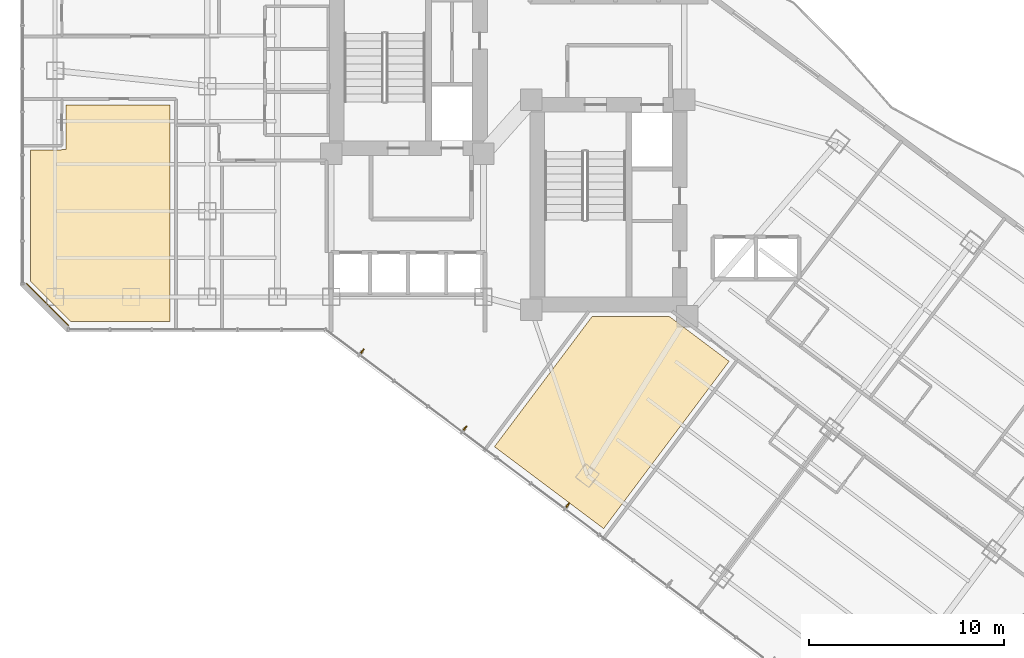
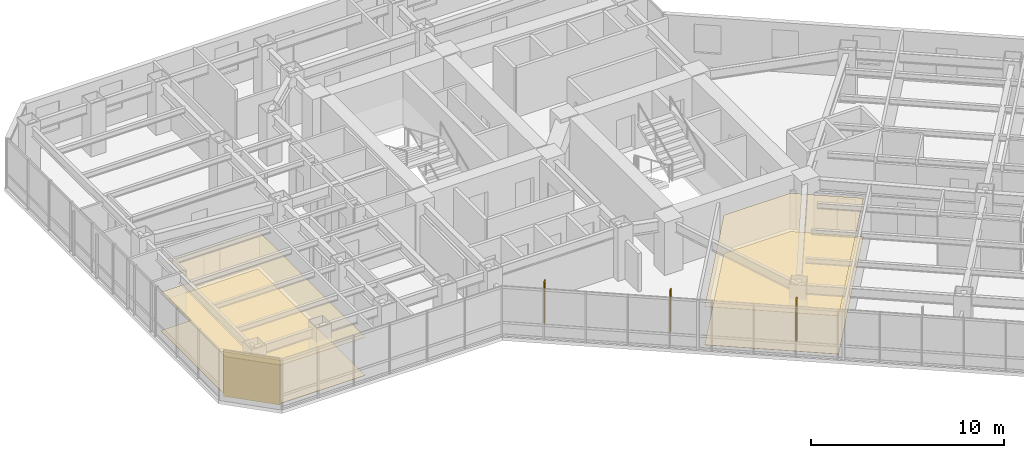
# One storey, part 32 of 36: 5 coverings, 3 shading devices.
"""IFC4 building model written with IfcOpenShell, lengths in metres."""

from ifc_helpers import new_model, si_unit, direction, frame, origin, origin_2d, place, context, subcontext, project, spatial, polyline, rectangle, outline, extrude, material, layer, layer_set, type_object, element, save


model = new_model("IFC4")

# Units and contexts
model_context = context("Model", 3, precision=1e-05, world=origin(), true_north=direction((0.0, 1.0)))
body_context = subcontext(model_context, "Body", "Model", "MODEL_VIEW")
ifc_project = project(units=[si_unit("LENGTHUNIT", "METRE"), si_unit("AREAUNIT", "SQUARE_METRE"), si_unit("VOLUMEUNIT", "CUBIC_METRE"), si_unit("PLANEANGLEUNIT", "RADIAN"), si_unit("MASSUNIT", "GRAM", prefix="KILO")], contexts=[model_context])

# Site, building, storey
site_placement = place(None, origin())
site = spatial("IfcSite", under=ifc_project, at=site_placement, CompositionType="ELEMENT")
building_placement = place(site_placement, origin())
building = spatial("IfcBuilding", under=site, at=building_placement, Name="Hatsunagi Terrace Concourse", CompositionType="ELEMENT")
storey_placement = place(building_placement, frame((0.0, 0.0, 84.64990234375)))
storey = spatial("IfcBuildingStorey", under=building, at=storey_placement, Name="L22", CompositionType="ELEMENT", Elevation=84.64990234375)

# Coverings
ifc_material_1 = material(Name="Acoustic mineral board", Category="gypsum")
ifc_layer_1 = layer(ifc_material_1, 0.02001953125)
ifc_layer_set_1 = layer_set([ifc_layer_1], Name="AcousticMineralCeiling_20")
covering_type_1 = type_object("IfcCoveringType", Name="AcousticMineralCeiling_20", PredefinedType="CEILING", material=ifc_layer_set_1)
covering_1_placement = place(storey_placement, frame((0.0, 0.0, 2.420166015625)))
element("IfcCovering", 1, at=covering_1_placement, inside=storey, type_object=covering_type_1, Name="Suspended Ceiling L22-2", PredefinedType="CEILING", context=body_context, shape_type="SweptSolid", body=[
    extrude(outline(polyline([(39.51806640625, 13.323974609375), (45.949951171875, 21.89990234375), (42.89697265625, 24.18994140625), (38.9169921875, 24.18994140625), (33.91796875, 17.52392578125), (39.51806640625, 13.323974609375)])), origin(), (0.0, 0.0, 1.0), 0.02001953125),
])
ifc_material_2 = material(Name="Granite stone paving", Category="masonry")
ifc_layer_2 = layer(ifc_material_2, 0.02490234375)
ifc_layer_set_2 = layer_set([ifc_layer_2], Name="GraniteStoneFlooring_25")
covering_type_2 = type_object("IfcCoveringType", Name="GraniteStoneFlooring_25", PredefinedType="FLOORING", material=ifc_layer_set_2)
covering_2_placement = place(storey_placement, origin())
element("IfcCovering", 2, at=covering_2_placement, inside=storey, type_object=covering_type_2, Name="Finished Flooring L22-1", PredefinedType="FLOORING", context=body_context, shape_type="SweptSolid", body=[
    extrude(outline(polyline([(12.219970703125, 23.929931640625), (17.2900390625, 23.929931640625), (17.2900390625, 35.050048828125), (11.9580078125, 35.050048828125), (11.9560546875, 32.7451171875), (10.1298828125, 32.741943359375), (10.1298828125, 26.02001953125), (12.219970703125, 23.929931640625)])), origin(), (0.0, 0.0, 1.0), 0.025146484375),
])
ifc_material_3 = material(Name="Hardwood timber", Category="wood")
ifc_layer_3 = layer(ifc_material_3, 0.014892578125)
ifc_layer_set_3 = layer_set([ifc_layer_3], Name="HardwoodTimberFlooring_15")
covering_type_3 = type_object("IfcCoveringType", Name="HardwoodTimberFlooring_15", PredefinedType="FLOORING", material=ifc_layer_set_3)
covering_3_placement = place(storey_placement, origin())
element("IfcCovering", 3, at=covering_3_placement, inside=storey, type_object=covering_type_3, Name="Finished Flooring L22-2", PredefinedType="FLOORING", context=body_context, shape_type="SweptSolid", body=[
    extrude(outline(polyline([(39.51806640625, 13.323974609375), (45.949951171875, 21.89990234375), (42.89697265625, 24.18994140625), (38.9169921875, 24.18994140625), (33.91796875, 17.52392578125), (39.51806640625, 13.323974609375)])), origin(), (0.0, 0.0, 1.0), 0.01513671875),
])

# Shading devices
ifc_material_4 = material(Name="Extruded Unglazed Terracotta Baguette", Category="masonry")
shading_device_type = type_object("IfcShadingDeviceType", Name="TerracottaFinScreen_260x70", PredefinedType="USERDEFINED", material=ifc_material_4)
for number, where, z_axis, x_axis, name in (
    (4, (37.677978515625, 14.529052734375, 0.85009765625), (0.0, 0.0, 1.0), (-0.800003116929, 0.599995844072, 0.0), "Terracotta Baguette Fin Screen SCR-01"),
    (5, (32.4150390625, 18.47705078125, 0.85009765625), (0.0, 0.0, 1.0), (-0.800003116929, 0.599995844072, 0.0), "Terracotta Baguette Fin Screen SCR-01"),
    (6, (27.15087890625, 22.424072265625, 0.85009765625), (0.0, 0.0, 1.0), (-0.800003116929, 0.599995844072, 0.0), "Terracotta Baguette Fin Screen SCR-01"),
):
    element("IfcShadingDevice", number, at=place(storey_placement, frame(where, z_axis=z_axis, x_axis=x_axis)), inside=storey, type_object=shading_device_type, Name=name, ObjectType="SUNSHADE", PredefinedType="USERDEFINED", context=body_context, shape_type="SweptSolid", body=[
        extrude(rectangle(XDim=0.070068359375, YDim=0.260009765625, at=origin_2d()), origin(), (0.0, 0.0, 1.0), 2.60009765625),
    ])

# Coverings
ifc_material_5 = material(Name="Unglazed Warm Terracotta Rainscreen Tile", Category="masonry")
ifc_layer_4 = layer(ifc_material_5, 0.044921875)
ifc_layer_set_4 = layer_set([ifc_layer_4], Name="TerracottaRainscreenCladding_45")
covering_type_4 = type_object("IfcCoveringType", Name="TerracottaRainscreenCladding_45", PredefinedType="CLADDING", material=ifc_layer_set_4)
covering_4_placement = place(storey_placement, frame((11.013916015625, 24.81396484375, 0.10009765625), z_axis=(0.0, 0.0, 1.0), x_axis=(-0.707106781187, 0.707106781187, 0.0)))
element("IfcCovering", 7, at=covering_4_placement, inside=storey, type_object=covering_type_4, Name="Terracotta Rainscreen Cladding L22-08", PredefinedType="CLADDING", context=body_context, shape_type="SweptSolid", body=[
    extrude(rectangle(XDim=3.0380859375, YDim=0.044921875, at=origin_2d()), origin(), (0.0, 0.0, 1.0), 2.929931640625),
])
ifc_material_6 = material(Name="Hardwood timber", Category="wood")
ifc_layer_5 = layer(ifc_material_6, 0.034912109375)
ifc_layer_set_5 = layer_set([ifc_layer_5], Name="TimberBaffleCeiling_35")
covering_type_5 = type_object("IfcCoveringType", Name="TimberBaffleCeiling_35", PredefinedType="CEILING", material=ifc_layer_set_5)
covering_5_placement = place(storey_placement, frame((0.0, 0.0, 2.420166015625)))
element("IfcCovering", 8, at=covering_5_placement, inside=storey, type_object=covering_type_5, Name="Suspended Ceiling L22-1", PredefinedType="CEILING", context=body_context, shape_type="SweptSolid", body=[
    extrude(outline(polyline([(12.219970703125, 23.929931640625), (17.2900390625, 23.929931640625), (17.2900390625, 35.050048828125), (11.9580078125, 35.050048828125), (11.9560546875, 32.7451171875), (10.1298828125, 32.741943359375), (10.1298828125, 26.02001953125), (12.219970703125, 23.929931640625)])), origin(), (0.0, 0.0, 1.0), 0.034912109375),
])

save(model, "model.ifc")
